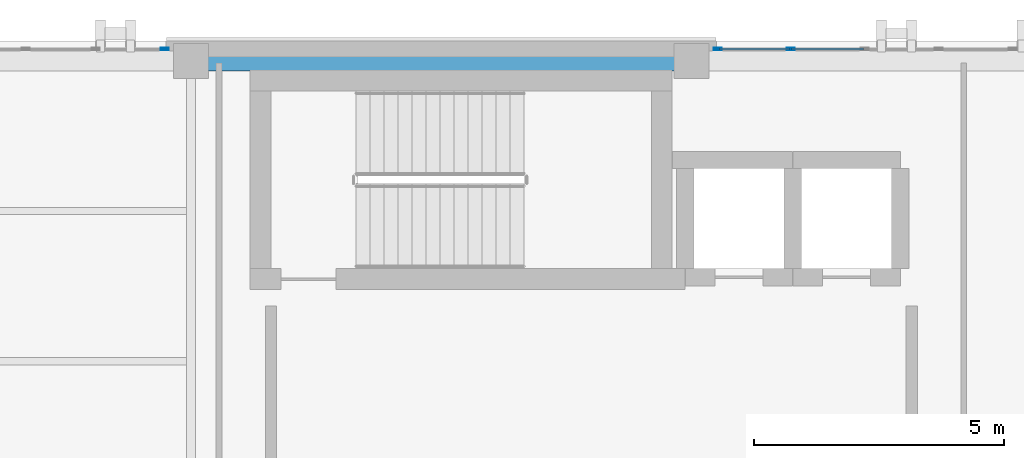
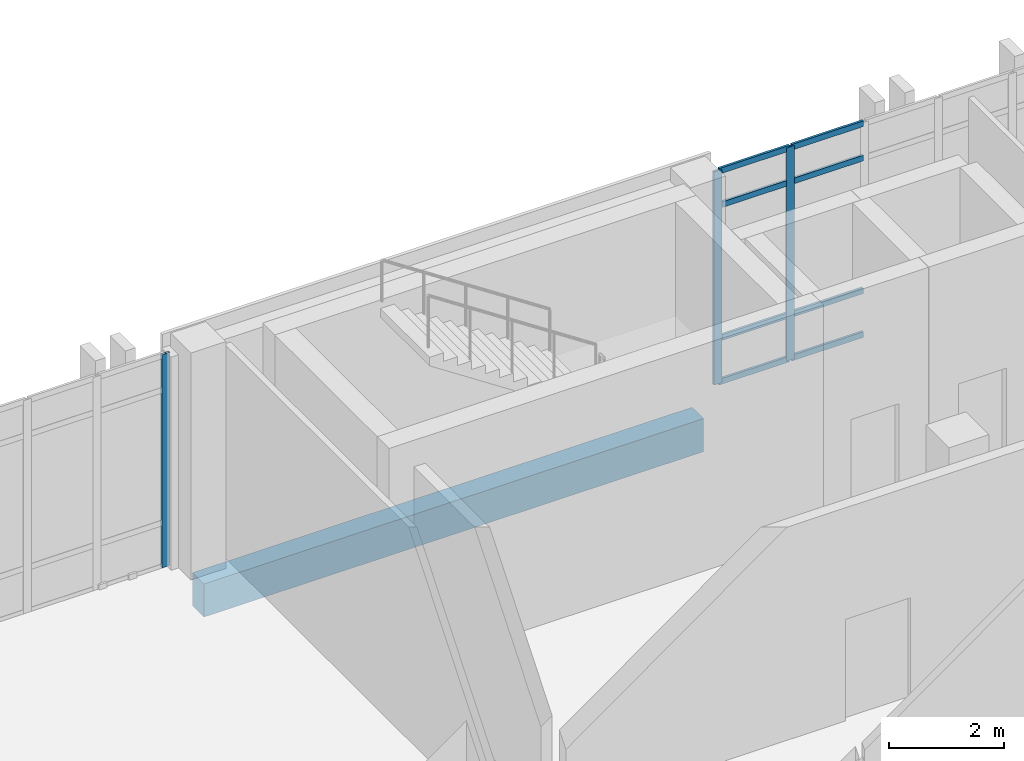
# One storey, part 91 of 189: 11 members, 1 beam, 2 elements without a shape of their own.
"""IFC4 building model written with IfcOpenShell, lengths in metres."""

from ifc_helpers import new_model, si_unit, direction, frame, origin, origin_2d, place, context, subcontext, project, spatial, rectangle, hollow_rectangle, extrude, material, layer, layer_set, material_profile, profile_set, type_object, element, aggregate, save


model = new_model("IFC4")

# Units and contexts
model_context = context("Model", 3, precision=1e-05, world=origin(), true_north=direction((0.0, 1.0)))
body_context = subcontext(model_context, "Body", "Model", "MODEL_VIEW")
ifc_project = project(units=[si_unit("LENGTHUNIT", "METRE"), si_unit("AREAUNIT", "SQUARE_METRE"), si_unit("VOLUMEUNIT", "CUBIC_METRE"), si_unit("PLANEANGLEUNIT", "RADIAN"), si_unit("MASSUNIT", "GRAM", prefix="KILO")], contexts=[model_context])

# Site, building, storey
site_placement = place(None, origin())
site = spatial("IfcSite", under=ifc_project, at=site_placement, CompositionType="ELEMENT")
building_placement = place(site_placement, origin())
building = spatial("IfcBuilding", under=site, at=building_placement, Name="Qalavern Law Courts", CompositionType="ELEMENT")
storey_placement = place(building_placement, frame((0.0, 0.0, 5.39990234375)))
storey = spatial("IfcBuildingStorey", under=building, at=storey_placement, Name="L01", CompositionType="ELEMENT", Elevation=5.39990234375)

# Curtain wall, members
ifc_material_1 = material(Name="Anodised aluminium and insulated glazing", Category="aluminium")
ifc_layer = layer(ifc_material_1, 0.166015625)
ifc_layer_set = layer_set([ifc_layer], Name="Anodised aluminium and insulated glazing")
curtain_wall_type = type_object("IfcCurtainWallType", Name="ENV-CW-LIB", PredefinedType="USERDEFINED", material=ifc_layer_set)
curtain_wall_1_placement = place(storey_placement, origin())
curtain_wall_1 = element("IfcCurtainWall", 1, at=curtain_wall_1_placement, inside=storey, type_object=curtain_wall_type, Name="V5 unitised curtain wall L01 north 5", ObjectType="UNITISED CURTAIN WALL", PredefinedType="USERDEFINED")
ifc_material_2 = material(Name="Anodised aluminium", Category="aluminium")
ifc_material_profile_1 = material_profile(ifc_material_2, hollow_rectangle(XDim=0.048095703125, YDim=0.159912109375, WallThickness=0.00390625, at=origin_2d()), Name="ALU MULLION 48x160")
ifc_profile_set_1 = profile_set([ifc_material_profile_1], Name="Anodised aluminium")
member_type_1 = type_object("IfcMemberType", Name="ENV-CWM-48x160", PredefinedType="MULLION", material=ifc_profile_set_1)
member_1_placement = place(storey_placement, frame((30.3798828125, 112.83740234375, 0.0), z_axis=(0.0, 0.0, 1.0), x_axis=(0.0, -1.0, 0.0)))
member_1 = element("IfcMember", 2, at=member_1_placement, type_object=member_type_1, Name="CW-05 mullion 5", PredefinedType="MULLION", context=body_context, shape_type="SweptSolid", body=[
    extrude(hollow_rectangle(XDim=0.048095703125, YDim=0.159912109375, WallThickness=0.00390625, at=origin_2d()), origin(), (0.0, 0.0, 1.0), 4.510009765625),
])
member_2_placement = place(storey_placement, frame((28.924072265625, 112.83740234375, 0.0), z_axis=(0.0, 0.0, 1.0), x_axis=(0.0, -1.0, 0.0)))
member_2 = element("IfcMember", 3, at=member_2_placement, type_object=member_type_1, Name="CW-05 mullion 6", PredefinedType="MULLION", context=body_context, shape_type="SweptSolid", body=[
    extrude(hollow_rectangle(XDim=0.048095703125, YDim=0.159912109375, WallThickness=0.00390625, at=origin_2d()), origin(), (0.0, 0.0, 1.0), 4.510009765625),
])

# Curtain wall, member
curtain_wall_2_placement = place(storey_placement, origin())
curtain_wall_2 = element("IfcCurtainWall", 4, at=curtain_wall_2_placement, inside=storey, type_object=curtain_wall_type, Name="V5 unitised curtain wall L01 north 6", ObjectType="UNITISED CURTAIN WALL", PredefinedType="USERDEFINED")
member_3_placement = place(storey_placement, frame((17.8759765625, 112.83740234375, 0.0), z_axis=(0.0, 0.0, 1.0), x_axis=(0.0, -1.0, 0.0)))
member_3 = element("IfcMember", 5, at=member_3_placement, type_object=member_type_1, Name="CW-05 mullion 1", PredefinedType="MULLION", context=body_context, shape_type="SweptSolid", body=[
    extrude(hollow_rectangle(XDim=0.048095703125, YDim=0.159912109375, WallThickness=0.00390625, at=origin_2d()), origin(), (0.0, 0.0, 1.0), 4.510009765625),
])
aggregate(curtain_wall_2, [member_3])

# Member
ifc_material_profile_2 = material_profile(ifc_material_2, hollow_rectangle(XDim=0.048095703125, YDim=0.1201171875, WallThickness=0.00390625, at=origin_2d()), Name="ALU TRANSOM 48x120")
ifc_profile_set_2 = profile_set([ifc_material_profile_2], Name="Anodised aluminium")
member_type_2 = type_object("IfcMemberType", Name="ENV-CWT-48x120", PredefinedType="USERDEFINED", material=ifc_profile_set_2)
member_4_placement = place(storey_placement, frame((31.8359375, 112.83740234375, 0.024169921875), z_axis=(-1.0, 0.0, 0.0), x_axis=(0.0, -1.0, 0.0)))
member_4 = element("IfcMember", 6, at=member_4_placement, type_object=member_type_2, Name="CW-05 transom 4.1", ObjectType="TRANSOM", PredefinedType="USERDEFINED", context=body_context, shape_type="SweptSolid", body=[
    extrude(hollow_rectangle(XDim=0.048095703125, YDim=0.1201171875, WallThickness=0.00390625, at=origin_2d()), origin(), (0.0, 0.0, 1.0), 1.431884765625),
])

member_5_placement = place(storey_placement, frame((31.8359375, 112.83740234375, 0.9501953125), z_axis=(-1.0, 0.0, 0.0), x_axis=(0.0, -1.0, 0.0)))
member_5 = element("IfcMember", 7, at=member_5_placement, type_object=member_type_2, Name="CW-05 transom 4.2", ObjectType="TRANSOM", PredefinedType="USERDEFINED", context=body_context, shape_type="SweptSolid", body=[
    extrude(hollow_rectangle(XDim=0.048095703125, YDim=0.1201171875, WallThickness=0.00390625, at=origin_2d()), origin(), (0.0, 0.0, 1.0), 1.431884765625),
])

member_6_placement = place(storey_placement, frame((31.8359375, 112.83740234375, 3.760009765625), z_axis=(-1.0, 0.0, 0.0), x_axis=(0.0, -1.0, 0.0)))
member_6 = element("IfcMember", 8, at=member_6_placement, type_object=member_type_2, Name="CW-05 transom 4.3", ObjectType="TRANSOM", PredefinedType="USERDEFINED", context=body_context, shape_type="SweptSolid", body=[
    extrude(hollow_rectangle(XDim=0.048095703125, YDim=0.1201171875, WallThickness=0.00390625, at=origin_2d()), origin(), (0.0, 0.0, 1.0), 1.431884765625),
])

member_7_placement = place(storey_placement, frame((31.8359375, 112.83740234375, 4.486083984375), z_axis=(-1.0, 0.0, 0.0), x_axis=(0.0, -1.0, 0.0)))
member_7 = element("IfcMember", 9, at=member_7_placement, type_object=member_type_2, Name="CW-05 transom 4.4", ObjectType="TRANSOM", PredefinedType="USERDEFINED", context=body_context, shape_type="SweptSolid", body=[
    extrude(hollow_rectangle(XDim=0.048095703125, YDim=0.1201171875, WallThickness=0.00390625, at=origin_2d()), origin(), (0.0, 0.0, 1.0), 1.431884765625),
])

member_8_placement = place(storey_placement, frame((30.35595703125, 112.83740234375, 0.024169921875), z_axis=(-1.0, 0.0, 0.0), x_axis=(0.0, -1.0, 0.0)))
member_8 = element("IfcMember", 10, at=member_8_placement, type_object=member_type_2, Name="CW-05 transom 5.1", ObjectType="TRANSOM", PredefinedType="USERDEFINED", context=body_context, shape_type="SweptSolid", body=[
    extrude(hollow_rectangle(XDim=0.048095703125, YDim=0.1201171875, WallThickness=0.00390625, at=origin_2d()), origin(), (0.0, 0.0, 1.0), 1.407958984375),
])

member_9_placement = place(storey_placement, frame((30.35595703125, 112.83740234375, 0.9501953125), z_axis=(-1.0, 0.0, 0.0), x_axis=(0.0, -1.0, 0.0)))
member_9 = element("IfcMember", 11, at=member_9_placement, type_object=member_type_2, Name="CW-05 transom 5.2", ObjectType="TRANSOM", PredefinedType="USERDEFINED", context=body_context, shape_type="SweptSolid", body=[
    extrude(hollow_rectangle(XDim=0.048095703125, YDim=0.1201171875, WallThickness=0.00390625, at=origin_2d()), origin(), (0.0, 0.0, 1.0), 1.407958984375),
])

member_10_placement = place(storey_placement, frame((30.35595703125, 112.83740234375, 3.760009765625), z_axis=(-1.0, 0.0, 0.0), x_axis=(0.0, -1.0, 0.0)))
member_10 = element("IfcMember", 12, at=member_10_placement, type_object=member_type_2, Name="CW-05 transom 5.3", ObjectType="TRANSOM", PredefinedType="USERDEFINED", context=body_context, shape_type="SweptSolid", body=[
    extrude(hollow_rectangle(XDim=0.048095703125, YDim=0.1201171875, WallThickness=0.00390625, at=origin_2d()), origin(), (0.0, 0.0, 1.0), 1.407958984375),
])

member_11_placement = place(storey_placement, frame((30.35595703125, 112.83740234375, 4.486083984375), z_axis=(-1.0, 0.0, 0.0), x_axis=(0.0, -1.0, 0.0)))
member_11 = element("IfcMember", 13, at=member_11_placement, type_object=member_type_2, Name="CW-05 transom 5.4", ObjectType="TRANSOM", PredefinedType="USERDEFINED", context=body_context, shape_type="SweptSolid", body=[
    extrude(hollow_rectangle(XDim=0.048095703125, YDim=0.1201171875, WallThickness=0.00390625, at=origin_2d()), origin(), (0.0, 0.0, 1.0), 1.407958984375),
])

aggregate(curtain_wall_1, [member_1, member_2, member_4, member_5, member_6, member_7, member_8, member_9, member_10, member_11])

# Beam
ifc_material_3 = material(Name="Concrete C40/50", Category="concrete")
ifc_material_profile_3 = material_profile(ifc_material_3, rectangle(XDim=0.39990234375, YDim=0.699951171875, at=origin_2d()), Name="RC 400x700")
ifc_profile_set_3 = profile_set([ifc_material_profile_3], Name="Concrete C40/50")
beam_type = type_object("IfcBeamType", Name="STR-SP-RC400x700", PredefinedType="SPANDREL", material=ifc_profile_set_3)
beam_placement = place(storey_placement, frame((18.39990234375, 112.60009765625, -0.64990234375), z_axis=(1.0, 0.0, 0.0), x_axis=(0.0, 1.0, 0.0)))
element("IfcBeam", 14, at=beam_placement, inside=storey, type_object=beam_type, Name="V5 X-beam 3-3 L01", PredefinedType="SPANDREL", context=body_context, shape_type="SweptSolid", body=[
    extrude(rectangle(XDim=0.39990234375, YDim=0.699951171875, at=origin_2d()), origin(), (0.0, 0.0, 1.0), 10.0),
])

save(model, "model.ifc")
